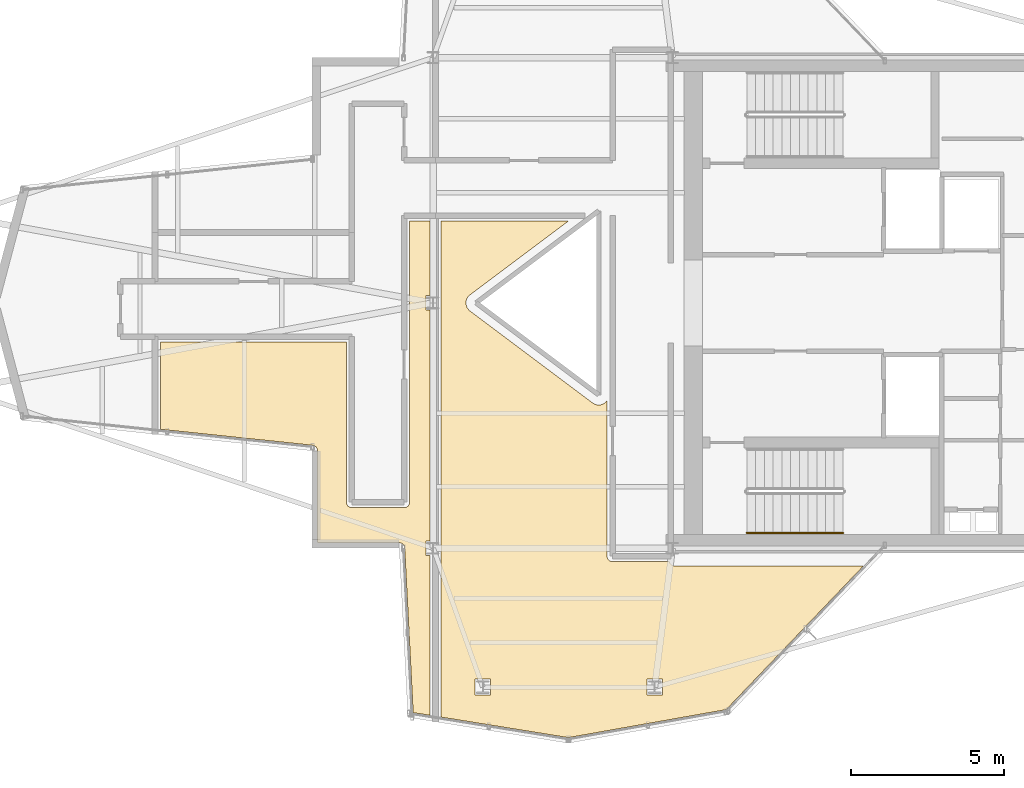
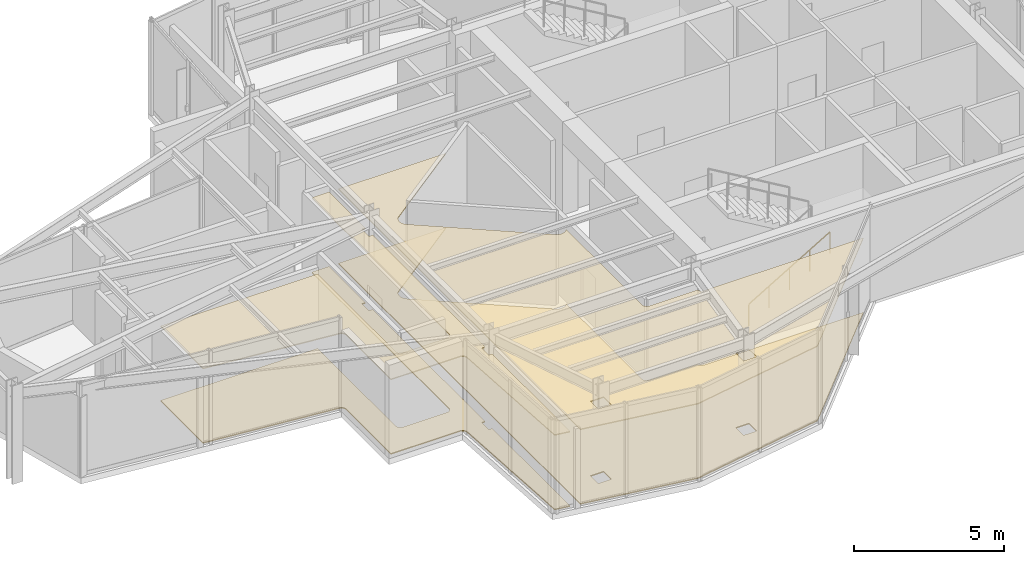
# One storey, part 13 of 14: 4 coverings, 1 railing.
"""IFC4 building model written with IfcOpenShell, lengths in metres."""

from ifc_helpers import new_model, si_unit, direction, frame, origin, origin_2d, place, context, subcontext, project, spatial, polyline, circle, outline, extrude, material, layer, layer_set, type_object, element, save


model = new_model("IFC4")

# Units and contexts
model_context = context("Model", 3, precision=1e-05, world=origin(), true_north=direction((0.0, 1.0)))
body_context = subcontext(model_context, "Body", "Model", "MODEL_VIEW")
ifc_project = project(units=[si_unit("LENGTHUNIT", "METRE"), si_unit("AREAUNIT", "SQUARE_METRE"), si_unit("VOLUMEUNIT", "CUBIC_METRE"), si_unit("PLANEANGLEUNIT", "RADIAN"), si_unit("MASSUNIT", "GRAM", prefix="KILO")], contexts=[model_context])

# Site, building, storey
site_placement = place(None, origin())
site = spatial("IfcSite", under=ifc_project, at=site_placement, CompositionType="ELEMENT")
building_placement = place(site_placement, origin())
building = spatial("IfcBuilding", under=site, at=building_placement, Name="Veymaron Broadcast Tower", CompositionType="ELEMENT")
storey_placement = place(building_placement, frame((0.0, 0.0, 295.199951171875)))
storey = spatial("IfcBuildingStorey", under=building, at=storey_placement, Name="L69", CompositionType="ELEMENT", Elevation=295.199951171875)

# Coverings
ifc_material_1 = material(Name="Perforated acoustic mineral-fibre ceiling tile", Category="gypsum")
ifc_layer_1 = layer(ifc_material_1, 0.0400390625)
ifc_layer_set_1 = layer_set([ifc_layer_1], Name="Perforated acoustic mineral-fibre ceiling tile")
covering_type_1 = type_object("IfcCoveringType", Name="COV-CEIL-ACT", PredefinedType="CEILING", material=ifc_layer_set_1)
covering_1_placement = place(storey_placement, frame((0.0, 0.0, 3.0400390625)))
element("IfcCovering", 1, at=covering_1_placement, inside=storey, type_object=covering_type_1, Name="L69 suspended acoustic ceiling 1", PredefinedType="CEILING", context=body_context, shape_type="SweptSolid", body=[
    extrude(outline(polyline([(32.292236328125, 24.118896484375), (32.286376953125, 24.102294921875), (32.281982421875, 24.088134765625), (32.27783203125, 24.0712890625), (32.27490234375, 24.056884765625), (32.2724609375, 24.039306640625), (32.27099609375, 24.02490234375), (32.270263671875, 24.00732421875), (32.270263671875, 23.99267578125), (32.27099609375, 23.97509765625), (32.2724609375, 23.960693359375), (32.27490234375, 23.943115234375), (32.27783203125, 23.9287109375), (32.281982421875, 23.911865234375), (32.286376953125, 23.897705078125), (32.292236328125, 23.881103515625), (32.2978515625, 23.86767578125), (32.305419921875, 23.851806640625), (32.31201171875, 23.8388671875), (32.321044921875, 23.82373046875), (32.3291015625, 23.8115234375), (32.339599609375, 23.79736328125), (32.348876953125, 23.7861328125), (32.360595703125, 23.77294921875), (32.370849609375, 23.7626953125), (32.3837890625, 23.750732421875), (32.39501953125, 23.741455078125), (32.402099609375, 23.736083984375), (36.402099609375, 20.736083984375), (36.4091796875, 20.73095703125), (36.4208984375, 20.722900390625), (36.435791015625, 20.7138671875), (36.448486328125, 20.70703125), (36.464111328125, 20.699462890625), (36.477294921875, 20.693603515625), (36.49365234375, 20.687744140625), (36.50732421875, 20.683349609375), (36.524169921875, 20.678955078125), (36.5380859375, 20.67578125), (36.555419921875, 20.673095703125), (36.569580078125, 20.67138671875), (36.5869140625, 20.67041015625), (36.601318359375, 20.670166015625), (36.61865234375, 20.670654296875), (36.633056640625, 20.671875), (36.650390625, 20.673828125), (36.66455078125, 20.676513671875), (36.681396484375, 20.680419921875), (36.6953125, 20.68408203125), (36.711669921875, 20.689697265625), (36.72509765625, 20.69482421875), (36.740966796875, 20.701904296875), (36.75390625, 20.708251953125), (36.76904296875, 20.716796875), (36.78125, 20.724365234375), (36.79541015625, 20.734375), (36.806884765625, 20.7431640625), (36.820068359375, 20.75439453125), (36.830810546875, 20.76416015625), (36.8427734375, 20.776611328125), (36.852294921875, 20.787353515625), (36.863037109375, 20.801025390625), (36.8701171875, 20.810546875), (36.8701171875, 15.73876953125), (36.870849609375, 15.72119140625), (36.87353515625, 15.70361328125), (36.877685546875, 15.6865234375), (36.8837890625, 15.669921875), (36.891357421875, 15.65380859375), (36.900390625, 15.638916015625), (36.910888671875, 15.62451171875), (36.922607421875, 15.611572265625), (36.935791015625, 15.599609375), (36.949951171875, 15.589111328125), (36.965087890625, 15.580078125), (36.981201171875, 15.572509765625), (36.997802734375, 15.566650390625), (37.014892578125, 15.562255859375), (37.032470703125, 15.559814453125), (37.050048828125, 15.558837890625), (38.905029296875, 15.558837890625), (38.90771484375, 15.547607421875), (38.913818359375, 15.531005859375), (38.92138671875, 15.51513671875), (38.930419921875, 15.5), (38.94091796875, 15.48583984375), (38.95263671875, 15.47265625), (38.9658203125, 15.4609375), (38.97998046875, 15.4501953125), (38.9951171875, 15.44140625), (39.010986328125, 15.43359375), (39.027587890625, 15.427734375), (39.044921875, 15.423583984375), (39.0625, 15.4208984375), (39.080078125, 15.419921875), (45.232421875, 15.419921875), (44.76708984375, 14.933349609375), (40.75439453125, 10.734130859375), (35.60791015625, 9.8212890625), (31.4560546875, 10.49072265625), (31.4560546875, 26.669921875), (35.610107421875, 26.669921875), (32.402099609375, 24.263916015625), (32.39501953125, 24.258544921875), (32.3837890625, 24.249267578125), (32.370849609375, 24.2373046875), (32.360595703125, 24.22705078125), (32.348876953125, 24.2138671875), (32.339599609375, 24.20263671875), (32.3291015625, 24.1884765625), (32.321044921875, 24.17626953125), (32.31201171875, 24.1611328125), (32.305419921875, 24.148193359375), (32.2978515625, 24.13232421875), (32.292236328125, 24.118896484375)]), holes=[polyline([(38.675048828125, 11.72607421875), (38.1689453125, 11.72607421875), (38.1689453125, 11.2099609375), (38.675048828125, 11.2099609375), (38.675048828125, 11.72607421875)]), polyline([(32.5654296875, 11.72607421875), (32.5654296875, 11.2099609375), (33.0712890625, 11.2099609375), (33.0712890625, 11.72607421875), (32.5654296875, 11.72607421875)])]), origin(), (0.0, 0.0, 1.0), 0.0400390625),
])
covering_2_placement = place(storey_placement, frame((0.0, 0.0, 3.0400390625)))
element("IfcCovering", 2, at=covering_2_placement, inside=storey, type_object=covering_type_1, Name="L69 suspended acoustic ceiling 2", PredefinedType="CEILING", context=body_context, shape_type="SweptSolid", body=[
    extrude(outline(polyline([(30.126953125, 16.17626953125), (30.10888671875, 16.17919921875), (30.0908203125, 16.179931640625), (27.4296875, 16.179931640625), (27.4296875, 19.177001953125), (27.4287109375, 19.194580078125), (27.42626953125, 19.2119140625), (27.421875, 19.22900390625), (27.416015625, 19.24560546875), (27.408447265625, 19.261474609375), (27.3994140625, 19.276611328125), (27.38916015625, 19.290771484375), (27.377197265625, 19.3037109375), (27.3642578125, 19.315673828125), (27.350341796875, 19.326171875), (27.335205078125, 19.335205078125), (27.3193359375, 19.3427734375), (27.302734375, 19.348876953125), (27.285888671875, 19.353271484375), (27.268310546875, 19.35595703125), (22.30810546875, 19.87744140625), (22.30810546875, 22.719970703125), (28.3701171875, 22.719970703125), (28.3701171875, 17.5), (28.370849609375, 17.482421875), (28.37353515625, 17.46484375), (28.377685546875, 17.44775390625), (28.3837890625, 17.43115234375), (28.391357421875, 17.4150390625), (28.400390625, 17.39990234375), (28.410888671875, 17.3857421875), (28.422607421875, 17.372802734375), (28.435791015625, 17.36083984375), (28.449951171875, 17.350341796875), (28.465087890625, 17.34130859375), (28.481201171875, 17.333740234375), (28.497802734375, 17.327880859375), (28.514892578125, 17.323486328125), (28.532470703125, 17.32080078125), (28.550048828125, 17.320068359375), (30.25, 17.320068359375), (30.267578125, 17.32080078125), (30.28515625, 17.323486328125), (30.30224609375, 17.327880859375), (30.31884765625, 17.333740234375), (30.3349609375, 17.34130859375), (30.35009765625, 17.350341796875), (30.3642578125, 17.36083984375), (30.377197265625, 17.372802734375), (30.38916015625, 17.3857421875), (30.399658203125, 17.39990234375), (30.40869140625, 17.4150390625), (30.416259765625, 17.43115234375), (30.422119140625, 17.44775390625), (30.426513671875, 17.46484375), (30.42919921875, 17.482421875), (30.429931640625, 17.5), (30.429931640625, 26.669921875), (31.095947265625, 26.669921875), (31.095947265625, 24.23388671875), (30.96337890625, 24.23388671875), (30.96337890625, 23.76611328125), (31.095947265625, 23.76611328125), (31.095947265625, 16.23388671875), (30.96337890625, 16.23388671875), (30.96337890625, 15.76611328125), (31.095947265625, 15.76611328125), (31.095947265625, 10.548828125), (30.546875, 10.63720703125), (30.2705078125, 16.00927734375), (30.2685546875, 16.02734375), (30.264892578125, 16.045166015625), (30.259521484375, 16.0625), (30.252197265625, 16.079345703125), (30.243408203125, 16.09521484375), (30.23291015625, 16.110107421875), (30.22119140625, 16.1240234375), (30.2080078125, 16.13671875), (30.193603515625, 16.147705078125), (30.177978515625, 16.157470703125), (30.16162109375, 16.165283203125), (30.14453125, 16.171875), (30.126953125, 16.17626953125)])), origin(), (0.0, 0.0, 1.0), 0.0400390625),
])
ifc_material_2 = material(Name="galvanized steel raised access floor panel", Category="steel")
ifc_layer_2 = layer(ifc_material_2, 0.0400390625)
ifc_layer_set_2 = layer_set([ifc_layer_2], Name="galvanized steel raised access floor panel")
covering_type_2 = type_object("IfcCoveringType", Name="COV-FLR-RAF", PredefinedType="FLOORING", material=ifc_layer_set_2)
covering_3_placement = place(storey_placement, origin())
element("IfcCovering", 3, at=covering_3_placement, inside=storey, type_object=covering_type_2, Name="L69 finished flooring 1", PredefinedType="FLOORING", context=body_context, shape_type="SweptSolid", body=[
    extrude(outline(polyline([(32.292236328125, 24.118896484375), (32.286376953125, 24.102294921875), (32.281982421875, 24.088134765625), (32.27783203125, 24.0712890625), (32.27490234375, 24.056884765625), (32.2724609375, 24.039306640625), (32.27099609375, 24.02490234375), (32.270263671875, 24.00732421875), (32.270263671875, 23.99267578125), (32.27099609375, 23.97509765625), (32.2724609375, 23.960693359375), (32.27490234375, 23.943115234375), (32.27783203125, 23.9287109375), (32.281982421875, 23.911865234375), (32.286376953125, 23.897705078125), (32.292236328125, 23.881103515625), (32.2978515625, 23.86767578125), (32.305419921875, 23.851806640625), (32.31201171875, 23.8388671875), (32.321044921875, 23.82373046875), (32.3291015625, 23.8115234375), (32.339599609375, 23.79736328125), (32.348876953125, 23.7861328125), (32.360595703125, 23.77294921875), (32.370849609375, 23.7626953125), (32.3837890625, 23.750732421875), (32.39501953125, 23.741455078125), (32.402099609375, 23.736083984375), (36.402099609375, 20.736083984375), (36.4091796875, 20.73095703125), (36.4208984375, 20.722900390625), (36.435791015625, 20.7138671875), (36.448486328125, 20.70703125), (36.464111328125, 20.699462890625), (36.477294921875, 20.693603515625), (36.49365234375, 20.687744140625), (36.50732421875, 20.683349609375), (36.524169921875, 20.678955078125), (36.5380859375, 20.67578125), (36.555419921875, 20.673095703125), (36.569580078125, 20.67138671875), (36.5869140625, 20.67041015625), (36.601318359375, 20.670166015625), (36.61865234375, 20.670654296875), (36.633056640625, 20.671875), (36.650390625, 20.673828125), (36.66455078125, 20.676513671875), (36.681396484375, 20.680419921875), (36.6953125, 20.68408203125), (36.711669921875, 20.689697265625), (36.72509765625, 20.69482421875), (36.740966796875, 20.701904296875), (36.75390625, 20.708251953125), (36.76904296875, 20.716796875), (36.78125, 20.724365234375), (36.79541015625, 20.734375), (36.806884765625, 20.7431640625), (36.820068359375, 20.75439453125), (36.830810546875, 20.76416015625), (36.8427734375, 20.776611328125), (36.852294921875, 20.787353515625), (36.863037109375, 20.801025390625), (36.8701171875, 20.810546875), (36.8701171875, 15.73876953125), (36.870849609375, 15.72119140625), (36.87353515625, 15.70361328125), (36.877685546875, 15.6865234375), (36.8837890625, 15.669921875), (36.891357421875, 15.65380859375), (36.900390625, 15.638916015625), (36.910888671875, 15.62451171875), (36.922607421875, 15.611572265625), (36.935791015625, 15.599609375), (36.949951171875, 15.589111328125), (36.965087890625, 15.580078125), (36.981201171875, 15.572509765625), (36.997802734375, 15.566650390625), (37.014892578125, 15.562255859375), (37.032470703125, 15.559814453125), (37.050048828125, 15.558837890625), (38.905029296875, 15.558837890625), (38.90771484375, 15.547607421875), (38.913818359375, 15.531005859375), (38.92138671875, 15.51513671875), (38.930419921875, 15.5), (38.94091796875, 15.48583984375), (38.95263671875, 15.47265625), (38.9658203125, 15.4609375), (38.97998046875, 15.4501953125), (38.9951171875, 15.44140625), (39.010986328125, 15.43359375), (39.027587890625, 15.427734375), (39.044921875, 15.423583984375), (39.0625, 15.4208984375), (39.080078125, 15.419921875), (45.232421875, 15.419921875), (44.76708984375, 14.933349609375), (40.75439453125, 10.734130859375), (35.60791015625, 9.8212890625), (31.4560546875, 10.49072265625), (31.4560546875, 26.669921875), (35.610107421875, 26.669921875), (32.402099609375, 24.263916015625), (32.39501953125, 24.258544921875), (32.3837890625, 24.249267578125), (32.370849609375, 24.2373046875), (32.360595703125, 24.22705078125), (32.348876953125, 24.2138671875), (32.339599609375, 24.20263671875), (32.3291015625, 24.1884765625), (32.321044921875, 24.17626953125), (32.31201171875, 24.1611328125), (32.305419921875, 24.148193359375), (32.2978515625, 24.13232421875), (32.292236328125, 24.118896484375)]), holes=[polyline([(38.675048828125, 11.72607421875), (38.1689453125, 11.72607421875), (38.1689453125, 11.2099609375), (38.675048828125, 11.2099609375), (38.675048828125, 11.72607421875)]), polyline([(32.5654296875, 11.72607421875), (32.5654296875, 11.2099609375), (33.0712890625, 11.2099609375), (33.0712890625, 11.72607421875), (32.5654296875, 11.72607421875)])]), origin(), (0.0, 0.0, 1.0), 0.0400390625),
])
covering_4_placement = place(storey_placement, origin())
element("IfcCovering", 4, at=covering_4_placement, inside=storey, type_object=covering_type_2, Name="L69 finished flooring 2", PredefinedType="FLOORING", context=body_context, shape_type="SweptSolid", body=[
    extrude(outline(polyline([(30.126953125, 16.17626953125), (30.10888671875, 16.17919921875), (30.0908203125, 16.179931640625), (27.4296875, 16.179931640625), (27.4296875, 19.177001953125), (27.4287109375, 19.194580078125), (27.42626953125, 19.2119140625), (27.421875, 19.22900390625), (27.416015625, 19.24560546875), (27.408447265625, 19.261474609375), (27.3994140625, 19.276611328125), (27.38916015625, 19.290771484375), (27.377197265625, 19.3037109375), (27.3642578125, 19.315673828125), (27.350341796875, 19.326171875), (27.335205078125, 19.335205078125), (27.3193359375, 19.3427734375), (27.302734375, 19.348876953125), (27.285888671875, 19.353271484375), (27.268310546875, 19.35595703125), (22.30810546875, 19.87744140625), (22.30810546875, 22.719970703125), (28.3701171875, 22.719970703125), (28.3701171875, 17.5), (28.370849609375, 17.482421875), (28.37353515625, 17.46484375), (28.377685546875, 17.44775390625), (28.3837890625, 17.43115234375), (28.391357421875, 17.4150390625), (28.400390625, 17.39990234375), (28.410888671875, 17.3857421875), (28.422607421875, 17.372802734375), (28.435791015625, 17.36083984375), (28.449951171875, 17.350341796875), (28.465087890625, 17.34130859375), (28.481201171875, 17.333740234375), (28.497802734375, 17.327880859375), (28.514892578125, 17.323486328125), (28.532470703125, 17.32080078125), (28.550048828125, 17.320068359375), (30.25, 17.320068359375), (30.267578125, 17.32080078125), (30.28515625, 17.323486328125), (30.30224609375, 17.327880859375), (30.31884765625, 17.333740234375), (30.3349609375, 17.34130859375), (30.35009765625, 17.350341796875), (30.3642578125, 17.36083984375), (30.377197265625, 17.372802734375), (30.38916015625, 17.3857421875), (30.399658203125, 17.39990234375), (30.40869140625, 17.4150390625), (30.416259765625, 17.43115234375), (30.422119140625, 17.44775390625), (30.426513671875, 17.46484375), (30.42919921875, 17.482421875), (30.429931640625, 17.5), (30.429931640625, 26.669921875), (31.095947265625, 26.669921875), (31.095947265625, 24.23388671875), (30.96337890625, 24.23388671875), (30.96337890625, 23.76611328125), (31.095947265625, 23.76611328125), (31.095947265625, 16.23388671875), (30.96337890625, 16.23388671875), (30.96337890625, 15.76611328125), (31.095947265625, 15.76611328125), (31.095947265625, 10.548828125), (30.546875, 10.63720703125), (30.2705078125, 16.00927734375), (30.2685546875, 16.02734375), (30.264892578125, 16.045166015625), (30.259521484375, 16.0625), (30.252197265625, 16.079345703125), (30.243408203125, 16.09521484375), (30.23291015625, 16.110107421875), (30.22119140625, 16.1240234375), (30.2080078125, 16.13671875), (30.193603515625, 16.147705078125), (30.177978515625, 16.157470703125), (30.16162109375, 16.165283203125), (30.14453125, 16.171875), (30.126953125, 16.17626953125)])), origin(), (0.0, 0.0, 1.0), 0.0400390625),
])

# Railing
ifc_material_3 = material(Name="Brushed stainless steel AISI 304", Category="steel")
railing_type = type_object("IfcRailingType", Name="RAIL-STAIR-HR", PredefinedType="HANDRAIL", material=ifc_material_3)
railing_placement = place(storey_placement, frame((41.429931640625, 16.5, 0.168701171875)))
element("IfcRailing", 5, at=railing_placement, inside=storey, type_object=railing_type, Name="L69 ST2 stair handrail 1", PredefinedType="HANDRAIL", context=body_context, shape_type="SweptSolid", body=[
    extrude(circle(Radius=0.02392578125, at=origin_2d()), frame((0.0, 0.0, 0.8759765625), z_axis=(0.860452582533, 0.0, 0.509530522356), x_axis=(0.0, 1.0, 0.0)), (0.0, 0.0, 1.0), 3.6435546875),
    extrude(circle(Radius=0.02099609375, at=origin_2d()), origin(), (0.0, 0.0, 1.0), 0.851806640625),
    extrude(circle(Radius=0.02099609375, at=origin_2d()), frame((0.78369140625, 0.0, 0.464111328125)), (0.0, 0.0, 1.0), 0.851806640625),
    extrude(circle(Radius=0.02099609375, at=origin_2d()), frame((1.5673828125, 0.0, 0.92822265625)), (0.0, 0.0, 1.0), 0.851806640625),
    extrude(circle(Radius=0.02099609375, at=origin_2d()), frame((2.351318359375, 0.0, 1.392333984375)), (0.0, 0.0, 1.0), 0.851806640625),
    extrude(circle(Radius=0.02099609375, at=origin_2d()), frame((3.135009765625, 0.0, 1.8564453125)), (0.0, 0.0, 1.0), 0.851806640625),
])

save(model, "model.ifc")
